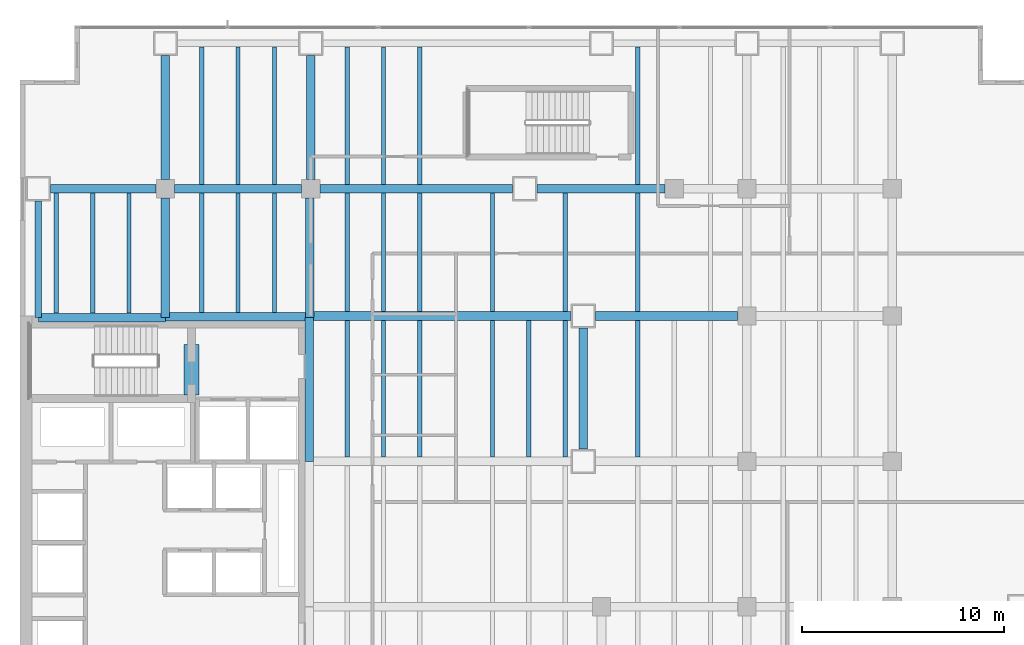
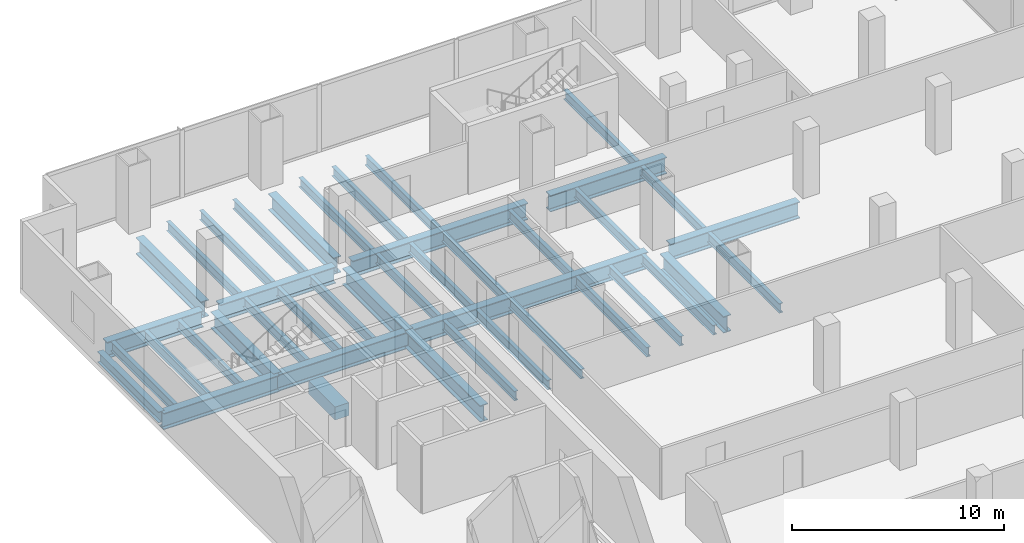
# One storey, part 10 of 31: 42 beams.
"""IFC4 building model written with IfcOpenShell, lengths in metres."""

from ifc_helpers import new_model, si_unit, direction, frame, origin, origin_2d, place, context, subcontext, project, spatial, rectangle, i_section, extrude, material, material_profile, profile_set, type_object, element, save


model = new_model("IFC4")

# Units and contexts
model_context = context("Model", 3, precision=1e-05, world=origin(), true_north=direction((0.0, 1.0)))
body_context = subcontext(model_context, "Body", "Model", "MODEL_VIEW")
ifc_project = project(units=[si_unit("LENGTHUNIT", "METRE"), si_unit("AREAUNIT", "SQUARE_METRE"), si_unit("VOLUMEUNIT", "CUBIC_METRE"), si_unit("PLANEANGLEUNIT", "RADIAN"), si_unit("MASSUNIT", "GRAM", prefix="KILO")], contexts=[model_context])

# Site, building, storey
site_placement = place(None, origin())
site = spatial("IfcSite", under=ifc_project, at=site_placement, CompositionType="ELEMENT")
building_placement = place(site_placement, origin())
building = spatial("IfcBuilding", under=site, at=building_placement, Name="Cobrela Telecom Tower", CompositionType="ELEMENT")
storey_placement = place(building_placement, frame((0.0, 0.0, 9.449951171875)))
storey = spatial("IfcBuildingStorey", under=building, at=storey_placement, Name="L02", CompositionType="ELEMENT", Elevation=9.449951171875)

# Beams
ifc_material_1 = material(Name="Concrete C40/50", Category="concrete")
ifc_material_profile_1 = material_profile(ifc_material_1, rectangle(XDim=0.75, YDim=0.75, at=origin_2d()), Name="RC 750x750")
ifc_profile_set_1 = profile_set([ifc_material_profile_1], Name="Concrete C40/50")
beam_type_1 = type_object("IfcBeamType", Name="BM-COUP-RC", PredefinedType="LINTEL", material=ifc_profile_set_1)
beam_1_placement = place(storey_placement, frame((8.5, 32.10009765625, -0.64990234375), z_axis=(0.0, 1.0, 0.0), x_axis=(-1.0, 0.0, 0.0)))
element("IfcBeam", 1, at=beam_1_placement, inside=storey, type_object=beam_type_1, Name="L02 Core Coupling Lintel Beam", PredefinedType="LINTEL", context=body_context, shape_type="SweptSolid", body=[
    extrude(rectangle(XDim=0.75, YDim=0.75, at=origin_2d()), origin(), (0.0, 0.0, 1.0), 2.5),
])
ifc_material_2 = material(Name="Steel ASTM A992 Grade 50", Category="steel")
ifc_material_profile_2 = material_profile(ifc_material_2, i_section(OverallWidth=0.424072265625, OverallDepth=0.947021484375, WebThickness=0.02392578125, FlangeThickness=0.042724609375, FilletRadius=0.02392578125, at=origin_2d()), Name="W36X302")
ifc_profile_set_2 = profile_set([ifc_material_profile_2], Name="Steel ASTM A992 Grade 50")
beam_type_2 = type_object("IfcBeamType", Name="BM-GIRD-01", PredefinedType="USERDEFINED", material=ifc_profile_set_2)
beam_2_placement = place(storey_placement, frame((0.905029296875, 35.919921875, -0.7734375), z_axis=(1.0, 0.0, 0.0), x_axis=(0.0, 1.0, 0.0)))
element("IfcBeam", 2, at=beam_2_placement, inside=storey, type_object=beam_type_2, Name="L02 Primary Girder X41", ObjectType="GIRDER", PredefinedType="USERDEFINED", context=body_context, shape_type="SweptSolid", body=[
    extrude(i_section(OverallWidth=0.424072265625, OverallDepth=0.947021484375, WebThickness=0.02392578125, FlangeThickness=0.042724609375, FilletRadius=0.02392578125, at=origin_2d()), origin(), (0.0, 0.0, 1.0), 6.2900390625),
])
beam_3_placement = place(storey_placement, frame((7.205078125, 35.9599609375, -0.7734375), z_axis=(1.0, 0.0, 0.0), x_axis=(0.0, 1.0, 0.0)))
element("IfcBeam", 3, at=beam_3_placement, inside=storey, type_object=beam_type_2, Name="L02 Primary Girder X42", ObjectType="GIRDER", PredefinedType="USERDEFINED", context=body_context, shape_type="SweptSolid", body=[
    extrude(i_section(OverallWidth=0.424072265625, OverallDepth=0.947021484375, WebThickness=0.02392578125, FlangeThickness=0.042724609375, FilletRadius=0.02392578125, at=origin_2d()), origin(), (0.0, 0.0, 1.0), 7.10986328125),
])
beam_4_placement = place(storey_placement, frame((14.324951171875, 36.0, -0.7734375), z_axis=(1.0, 0.0, 0.0), x_axis=(0.0, 1.0, 0.0)))
element("IfcBeam", 4, at=beam_4_placement, inside=storey, type_object=beam_type_2, Name="L02 Primary Girder X43", ObjectType="GIRDER", PredefinedType="USERDEFINED", context=body_context, shape_type="SweptSolid", body=[
    extrude(i_section(OverallWidth=0.424072265625, OverallDepth=0.947021484375, WebThickness=0.02392578125, FlangeThickness=0.042724609375, FilletRadius=0.02392578125, at=origin_2d()), origin(), (0.0, 0.0, 1.0), 12.969970703125),
])
beam_5_placement = place(storey_placement, frame((28.5048828125, 36.0, -0.7734375), z_axis=(1.0, 0.0, 0.0), x_axis=(0.0, 1.0, 0.0)))
element("IfcBeam", 5, at=beam_5_placement, inside=storey, type_object=beam_type_2, Name="L02 Primary Girder X44", ObjectType="GIRDER", PredefinedType="USERDEFINED", context=body_context, shape_type="SweptSolid", body=[
    extrude(i_section(OverallWidth=0.424072265625, OverallDepth=0.947021484375, WebThickness=0.02392578125, FlangeThickness=0.042724609375, FilletRadius=0.02392578125, at=origin_2d()), origin(), (0.0, 0.0, 1.0), 7.0400390625),
])
beam_6_placement = place(storey_placement, frame((1.5048828125, 42.300048828125, -0.7734375), z_axis=(1.0, 0.0, 0.0), x_axis=(0.0, 1.0, 0.0)))
element("IfcBeam", 6, at=beam_6_placement, inside=storey, type_object=beam_type_2, Name="L02 Primary Girder X46", ObjectType="GIRDER", PredefinedType="USERDEFINED", context=body_context, shape_type="SweptSolid", body=[
    extrude(i_section(OverallWidth=0.424072265625, OverallDepth=0.947021484375, WebThickness=0.02392578125, FlangeThickness=0.042724609375, FilletRadius=0.02392578125, at=origin_2d()), origin(), (0.0, 0.0, 1.0), 5.240234375),
])
beam_7_placement = place(storey_placement, frame((7.655029296875, 42.300048828125, -0.7734375), z_axis=(1.0, 0.0, 0.0), x_axis=(0.0, 1.0, 0.0)))
element("IfcBeam", 7, at=beam_7_placement, inside=storey, type_object=beam_type_2, Name="L02 Primary Girder X47", ObjectType="GIRDER", PredefinedType="USERDEFINED", context=body_context, shape_type="SweptSolid", body=[
    extrude(i_section(OverallWidth=0.424072265625, OverallDepth=0.947021484375, WebThickness=0.02392578125, FlangeThickness=0.042724609375, FilletRadius=0.02392578125, at=origin_2d()), origin(), (0.0, 0.0, 1.0), 6.2900390625),
])
beam_8_placement = place(storey_placement, frame((14.85498046875, 42.300048828125, -0.7734375), z_axis=(1.0, 0.0, 0.0), x_axis=(0.0, 1.0, 0.0)))
element("IfcBeam", 8, at=beam_8_placement, inside=storey, type_object=beam_type_2, Name="L02 Primary Girder X48", ObjectType="GIRDER", PredefinedType="USERDEFINED", context=body_context, shape_type="SweptSolid", body=[
    extrude(i_section(OverallWidth=0.424072265625, OverallDepth=0.947021484375, WebThickness=0.02392578125, FlangeThickness=0.042724609375, FilletRadius=0.02392578125, at=origin_2d()), origin(), (0.0, 0.0, 1.0), 9.5400390625),
])
beam_9_placement = place(storey_placement, frame((25.60498046875, 42.300048828125, -0.7734375), z_axis=(1.0, 0.0, 0.0), x_axis=(0.0, 1.0, 0.0)))
element("IfcBeam", 9, at=beam_9_placement, inside=storey, type_object=beam_type_2, Name="L02 Primary Girder X49", ObjectType="GIRDER", PredefinedType="USERDEFINED", context=body_context, shape_type="SweptSolid", body=[
    extrude(i_section(OverallWidth=0.424072265625, OverallDepth=0.947021484375, WebThickness=0.02392578125, FlangeThickness=0.042724609375, FilletRadius=0.02392578125, at=origin_2d()), origin(), (0.0, 0.0, 1.0), 6.340087890625),
])
beam_10_placement = place(storey_placement, frame((7.199951171875, 35.925048828125, -0.7734375), z_axis=(0.0, 1.0, 0.0), x_axis=(-1.0, 0.0, 0.0)))
element("IfcBeam", 10, at=beam_10_placement, inside=storey, type_object=beam_type_2, Name="L02 Primary Girder Y58", ObjectType="GIRDER", PredefinedType="USERDEFINED", context=body_context, shape_type="SweptSolid", body=[
    extrude(i_section(OverallWidth=0.424072265625, OverallDepth=0.947021484375, WebThickness=0.02392578125, FlangeThickness=0.042724609375, FilletRadius=0.02392578125, at=origin_2d()), origin(), (0.0, 0.0, 1.0), 5.919921875),
])
beam_11_placement = place(storey_placement, frame((7.199951171875, 42.7548828125, -0.7734375), z_axis=(0.0, 1.0, 0.0), x_axis=(-1.0, 0.0, 0.0)))
element("IfcBeam", 11, at=beam_11_placement, inside=storey, type_object=beam_type_2, Name="L02 Primary Girder Y59", ObjectType="GIRDER", PredefinedType="USERDEFINED", context=body_context, shape_type="SweptSolid", body=[
    extrude(i_section(OverallWidth=0.424072265625, OverallDepth=0.947021484375, WebThickness=0.02392578125, FlangeThickness=0.042724609375, FilletRadius=0.02392578125, at=origin_2d()), origin(), (0.0, 0.0, 1.0), 6.14013671875),
])
beam_12_placement = place(storey_placement, frame((14.320068359375, 28.804931640625, -0.7734375), z_axis=(0.0, 1.0, 0.0), x_axis=(-1.0, 0.0, 0.0)))
element("IfcBeam", 12, at=beam_12_placement, inside=storey, type_object=beam_type_2, Name="L02 Primary Girder Y64", ObjectType="GIRDER", PredefinedType="USERDEFINED", context=body_context, shape_type="SweptSolid", body=[
    extrude(i_section(OverallWidth=0.424072265625, OverallDepth=0.947021484375, WebThickness=0.02392578125, FlangeThickness=0.042724609375, FilletRadius=0.02392578125, at=origin_2d()), origin(), (0.0, 0.0, 1.0), 7.110107421875),
])
beam_13_placement = place(storey_placement, frame((14.360107421875, 35.925048828125, -0.7734375), z_axis=(0.0, 1.0, 0.0), x_axis=(-1.0, 0.0, 0.0)))
element("IfcBeam", 13, at=beam_13_placement, inside=storey, type_object=beam_type_2, Name="L02 Primary Girder Y65", ObjectType="GIRDER", PredefinedType="USERDEFINED", context=body_context, shape_type="SweptSolid", body=[
    extrude(i_section(OverallWidth=0.424072265625, OverallDepth=0.947021484375, WebThickness=0.02392578125, FlangeThickness=0.042724609375, FilletRadius=0.02392578125, at=origin_2d()), origin(), (0.0, 0.0, 1.0), 5.919921875),
])
beam_14_placement = place(storey_placement, frame((14.39990234375, 42.7548828125, -0.7734375), z_axis=(0.0, 1.0, 0.0), x_axis=(-1.0, 0.0, 0.0)))
element("IfcBeam", 14, at=beam_14_placement, inside=storey, type_object=beam_type_2, Name="L02 Primary Girder Y66", ObjectType="GIRDER", PredefinedType="USERDEFINED", context=body_context, shape_type="SweptSolid", body=[
    extrude(i_section(OverallWidth=0.424072265625, OverallDepth=0.947021484375, WebThickness=0.02392578125, FlangeThickness=0.042724609375, FilletRadius=0.02392578125, at=origin_2d()), origin(), (0.0, 0.0, 1.0), 6.14013671875),
])
beam_15_placement = place(storey_placement, frame((27.89990234375, 29.405029296875, -0.7734375), z_axis=(0.0, 1.0, 0.0), x_axis=(-1.0, 0.0, 0.0)))
element("IfcBeam", 15, at=beam_15_placement, inside=storey, type_object=beam_type_2, Name="L02 Primary Girder Y67", ObjectType="GIRDER", PredefinedType="USERDEFINED", context=body_context, shape_type="SweptSolid", body=[
    extrude(i_section(OverallWidth=0.424072265625, OverallDepth=0.947021484375, WebThickness=0.02392578125, FlangeThickness=0.042724609375, FilletRadius=0.02392578125, at=origin_2d()), origin(), (0.0, 0.0, 1.0), 5.989990234375),
])
ifc_material_profile_3 = material_profile(ifc_material_2, i_section(OverallWidth=0.212890625, OverallDepth=0.549072265625, WebThickness=0.0146484375, FlangeThickness=0.023681640625, FilletRadius=0.013916015625, at=origin_2d()), Name="W21X93")
ifc_profile_set_3 = profile_set([ifc_material_profile_3], Name="Steel ASTM A992 Grade 50")
beam_type_3 = type_object("IfcBeamType", Name="BM-JOIST-01", PredefinedType="JOIST", material=ifc_profile_set_3)
for number, where, z_axis, x_axis, name in (
    (16, (1.800048828125, 36.136962890625, -0.574462890625), (0.0, 1.0, 0.0), (-1.0, 0.0, 0.0), "L02 Secondary Composite Floor Beam J01"),
    (17, (3.60009765625, 36.136962890625, -0.574462890625), (0.0, 1.0, 0.0), (-1.0, 0.0, 0.0), "L02 Secondary Composite Floor Beam J02"),
    (18, (5.39990234375, 36.136962890625, -0.574462890625), (0.0, 1.0, 0.0), (-1.0, 0.0, 0.0), "L02 Secondary Composite Floor Beam J03"),
):
    element("IfcBeam", number, at=place(storey_placement, frame(where, z_axis=z_axis, x_axis=x_axis)), inside=storey, type_object=beam_type_3, Name=name, PredefinedType="JOIST", context=body_context, shape_type="SweptSolid", body=[
        extrude(i_section(OverallWidth=0.212890625, OverallDepth=0.549072265625, WebThickness=0.0146484375, FlangeThickness=0.023681640625, FilletRadius=0.013916015625, at=origin_2d()), origin(), (0.0, 0.0, 1.0), 5.946044921875),
    ])
beam_16_placement = place(storey_placement, frame((9.0, 36.177001953125, -0.574462890625), z_axis=(0.0, 1.0, 0.0), x_axis=(-1.0, 0.0, 0.0)))
element("IfcBeam", 19, at=beam_16_placement, inside=storey, type_object=beam_type_3, Name="L02 Secondary Composite Floor Beam J05", PredefinedType="JOIST", context=body_context, shape_type="SweptSolid", body=[
    extrude(i_section(OverallWidth=0.212890625, OverallDepth=0.549072265625, WebThickness=0.0146484375, FlangeThickness=0.023681640625, FilletRadius=0.013916015625, at=origin_2d()), origin(), (0.0, 0.0, 1.0), 5.906005859375),
])
beam_17_placement = place(storey_placement, frame((9.0, 42.51708984375, -0.574462890625), z_axis=(0.0, 1.0, 0.0), x_axis=(-1.0, 0.0, 0.0)))
element("IfcBeam", 20, at=beam_17_placement, inside=storey, type_object=beam_type_3, Name="L02 Secondary Composite Floor Beam J06", PredefinedType="JOIST", context=body_context, shape_type="SweptSolid", body=[
    extrude(i_section(OverallWidth=0.212890625, OverallDepth=0.549072265625, WebThickness=0.0146484375, FlangeThickness=0.023681640625, FilletRadius=0.013916015625, at=origin_2d()), origin(), (0.0, 0.0, 1.0), 6.81396484375),
])
beam_18_placement = place(storey_placement, frame((10.800048828125, 36.177001953125, -0.574462890625), z_axis=(0.0, 1.0, 0.0), x_axis=(-1.0, 0.0, 0.0)))
element("IfcBeam", 21, at=beam_18_placement, inside=storey, type_object=beam_type_3, Name="L02 Secondary Composite Floor Beam J08", PredefinedType="JOIST", context=body_context, shape_type="SweptSolid", body=[
    extrude(i_section(OverallWidth=0.212890625, OverallDepth=0.549072265625, WebThickness=0.0146484375, FlangeThickness=0.023681640625, FilletRadius=0.013916015625, at=origin_2d()), origin(), (0.0, 0.0, 1.0), 5.906005859375),
])
beam_19_placement = place(storey_placement, frame((10.800048828125, 42.51708984375, -0.574462890625), z_axis=(0.0, 1.0, 0.0), x_axis=(-1.0, 0.0, 0.0)))
element("IfcBeam", 22, at=beam_19_placement, inside=storey, type_object=beam_type_3, Name="L02 Secondary Composite Floor Beam J09", PredefinedType="JOIST", context=body_context, shape_type="SweptSolid", body=[
    extrude(i_section(OverallWidth=0.212890625, OverallDepth=0.549072265625, WebThickness=0.0146484375, FlangeThickness=0.023681640625, FilletRadius=0.013916015625, at=origin_2d()), origin(), (0.0, 0.0, 1.0), 6.81396484375),
])
beam_20_placement = place(storey_placement, frame((12.60009765625, 36.177001953125, -0.574462890625), z_axis=(0.0, 1.0, 0.0), x_axis=(-1.0, 0.0, 0.0)))
element("IfcBeam", 23, at=beam_20_placement, inside=storey, type_object=beam_type_3, Name="L02 Secondary Composite Floor Beam J11", PredefinedType="JOIST", context=body_context, shape_type="SweptSolid", body=[
    extrude(i_section(OverallWidth=0.212890625, OverallDepth=0.549072265625, WebThickness=0.0146484375, FlangeThickness=0.023681640625, FilletRadius=0.013916015625, at=origin_2d()), origin(), (0.0, 0.0, 1.0), 5.906005859375),
])
beam_21_placement = place(storey_placement, frame((12.60009765625, 42.51708984375, -0.574462890625), z_axis=(0.0, 1.0, 0.0), x_axis=(-1.0, 0.0, 0.0)))
element("IfcBeam", 24, at=beam_21_placement, inside=storey, type_object=beam_type_3, Name="L02 Secondary Composite Floor Beam J12", PredefinedType="JOIST", context=body_context, shape_type="SweptSolid", body=[
    extrude(i_section(OverallWidth=0.212890625, OverallDepth=0.549072265625, WebThickness=0.0146484375, FlangeThickness=0.023681640625, FilletRadius=0.013916015625, at=origin_2d()), origin(), (0.0, 0.0, 1.0), 6.81396484375),
])
beam_22_placement = place(storey_placement, frame((16.199951171875, 29.01708984375, -0.574462890625), z_axis=(0.0, 1.0, 0.0), x_axis=(-1.0, 0.0, 0.0)))
element("IfcBeam", 25, at=beam_22_placement, inside=storey, type_object=beam_type_3, Name="L02 Secondary Composite Floor Beam J17", PredefinedType="JOIST", context=body_context, shape_type="SweptSolid", body=[
    extrude(i_section(OverallWidth=0.212890625, OverallDepth=0.549072265625, WebThickness=0.0146484375, FlangeThickness=0.023681640625, FilletRadius=0.013916015625, at=origin_2d()), origin(), (0.0, 0.0, 1.0), 6.765869140625),
])
beam_23_placement = place(storey_placement, frame((16.199951171875, 36.217041015625, -0.574462890625), z_axis=(0.0, 1.0, 0.0), x_axis=(-1.0, 0.0, 0.0)))
element("IfcBeam", 26, at=beam_23_placement, inside=storey, type_object=beam_type_3, Name="L02 Secondary Composite Floor Beam J18", PredefinedType="JOIST", context=body_context, shape_type="SweptSolid", body=[
    extrude(i_section(OverallWidth=0.212890625, OverallDepth=0.549072265625, WebThickness=0.0146484375, FlangeThickness=0.023681640625, FilletRadius=0.013916015625, at=origin_2d()), origin(), (0.0, 0.0, 1.0), 5.865966796875),
])
beam_24_placement = place(storey_placement, frame((16.199951171875, 42.51708984375, -0.574462890625), z_axis=(0.0, 1.0, 0.0), x_axis=(-1.0, 0.0, 0.0)))
element("IfcBeam", 27, at=beam_24_placement, inside=storey, type_object=beam_type_3, Name="L02 Secondary Composite Floor Beam J19", PredefinedType="JOIST", context=body_context, shape_type="SweptSolid", body=[
    extrude(i_section(OverallWidth=0.212890625, OverallDepth=0.549072265625, WebThickness=0.0146484375, FlangeThickness=0.023681640625, FilletRadius=0.013916015625, at=origin_2d()), origin(), (0.0, 0.0, 1.0), 6.81396484375),
])
beam_25_placement = place(storey_placement, frame((18.0, 29.01708984375, -0.574462890625), z_axis=(0.0, 1.0, 0.0), x_axis=(-1.0, 0.0, 0.0)))
element("IfcBeam", 28, at=beam_25_placement, inside=storey, type_object=beam_type_3, Name="L02 Secondary Composite Floor Beam J24", PredefinedType="JOIST", context=body_context, shape_type="SweptSolid", body=[
    extrude(i_section(OverallWidth=0.212890625, OverallDepth=0.549072265625, WebThickness=0.0146484375, FlangeThickness=0.023681640625, FilletRadius=0.013916015625, at=origin_2d()), origin(), (0.0, 0.0, 1.0), 6.765869140625),
])
beam_26_placement = place(storey_placement, frame((18.0, 36.217041015625, -0.574462890625), z_axis=(0.0, 1.0, 0.0), x_axis=(-1.0, 0.0, 0.0)))
element("IfcBeam", 29, at=beam_26_placement, inside=storey, type_object=beam_type_3, Name="L02 Secondary Composite Floor Beam J25", PredefinedType="JOIST", context=body_context, shape_type="SweptSolid", body=[
    extrude(i_section(OverallWidth=0.212890625, OverallDepth=0.549072265625, WebThickness=0.0146484375, FlangeThickness=0.023681640625, FilletRadius=0.013916015625, at=origin_2d()), origin(), (0.0, 0.0, 1.0), 5.865966796875),
])
beam_27_placement = place(storey_placement, frame((18.0, 42.51708984375, -0.574462890625), z_axis=(0.0, 1.0, 0.0), x_axis=(-1.0, 0.0, 0.0)))
element("IfcBeam", 30, at=beam_27_placement, inside=storey, type_object=beam_type_3, Name="L02 Secondary Composite Floor Beam J26", PredefinedType="JOIST", context=body_context, shape_type="SweptSolid", body=[
    extrude(i_section(OverallWidth=0.212890625, OverallDepth=0.549072265625, WebThickness=0.0146484375, FlangeThickness=0.023681640625, FilletRadius=0.013916015625, at=origin_2d()), origin(), (0.0, 0.0, 1.0), 6.81396484375),
])
beam_28_placement = place(storey_placement, frame((19.800048828125, 29.01708984375, -0.574462890625), z_axis=(0.0, 1.0, 0.0), x_axis=(-1.0, 0.0, 0.0)))
element("IfcBeam", 31, at=beam_28_placement, inside=storey, type_object=beam_type_3, Name="L02 Secondary Composite Floor Beam J31", PredefinedType="JOIST", context=body_context, shape_type="SweptSolid", body=[
    extrude(i_section(OverallWidth=0.212890625, OverallDepth=0.549072265625, WebThickness=0.0146484375, FlangeThickness=0.023681640625, FilletRadius=0.013916015625, at=origin_2d()), origin(), (0.0, 0.0, 1.0), 6.765869140625),
])
beam_29_placement = place(storey_placement, frame((19.800048828125, 36.217041015625, -0.574462890625), z_axis=(0.0, 1.0, 0.0), x_axis=(-1.0, 0.0, 0.0)))
element("IfcBeam", 32, at=beam_29_placement, inside=storey, type_object=beam_type_3, Name="L02 Secondary Composite Floor Beam J32", PredefinedType="JOIST", context=body_context, shape_type="SweptSolid", body=[
    extrude(i_section(OverallWidth=0.212890625, OverallDepth=0.549072265625, WebThickness=0.0146484375, FlangeThickness=0.023681640625, FilletRadius=0.013916015625, at=origin_2d()), origin(), (0.0, 0.0, 1.0), 5.865966796875),
])
beam_30_placement = place(storey_placement, frame((19.800048828125, 42.51708984375, -0.574462890625), z_axis=(0.0, 1.0, 0.0), x_axis=(-1.0, 0.0, 0.0)))
element("IfcBeam", 33, at=beam_30_placement, inside=storey, type_object=beam_type_3, Name="L02 Secondary Composite Floor Beam J33", PredefinedType="JOIST", context=body_context, shape_type="SweptSolid", body=[
    extrude(i_section(OverallWidth=0.212890625, OverallDepth=0.549072265625, WebThickness=0.0146484375, FlangeThickness=0.023681640625, FilletRadius=0.013916015625, at=origin_2d()), origin(), (0.0, 0.0, 1.0), 6.81396484375),
])
beam_31_placement = place(storey_placement, frame((23.39990234375, 29.01708984375, -0.574462890625), z_axis=(0.0, 1.0, 0.0), x_axis=(-1.0, 0.0, 0.0)))
element("IfcBeam", 34, at=beam_31_placement, inside=storey, type_object=beam_type_3, Name="L02 Secondary Composite Floor Beam J38", PredefinedType="JOIST", context=body_context, shape_type="SweptSolid", body=[
    extrude(i_section(OverallWidth=0.212890625, OverallDepth=0.549072265625, WebThickness=0.0146484375, FlangeThickness=0.023681640625, FilletRadius=0.013916015625, at=origin_2d()), origin(), (0.0, 0.0, 1.0), 6.765869140625),
])
beam_32_placement = place(storey_placement, frame((23.39990234375, 36.217041015625, -0.574462890625), z_axis=(0.0, 1.0, 0.0), x_axis=(-1.0, 0.0, 0.0)))
element("IfcBeam", 35, at=beam_32_placement, inside=storey, type_object=beam_type_3, Name="L02 Secondary Composite Floor Beam J39", PredefinedType="JOIST", context=body_context, shape_type="SweptSolid", body=[
    extrude(i_section(OverallWidth=0.212890625, OverallDepth=0.549072265625, WebThickness=0.0146484375, FlangeThickness=0.023681640625, FilletRadius=0.013916015625, at=origin_2d()), origin(), (0.0, 0.0, 1.0), 5.865966796875),
])
for number, where, z_axis, x_axis, name in (
    (36, (25.199951171875, 29.01708984375, -0.574462890625), (0.0, 1.0, 0.0), (-1.0, 0.0, 0.0), "L02 Secondary Composite Floor Beam J44"),
    (37, (27.0, 29.01708984375, -0.574462890625), (0.0, 1.0, 0.0), (-1.0, 0.0, 0.0), "L02 Secondary Composite Floor Beam J49"),
):
    element("IfcBeam", number, at=place(storey_placement, frame(where, z_axis=z_axis, x_axis=x_axis)), inside=storey, type_object=beam_type_3, Name=name, PredefinedType="JOIST", context=body_context, shape_type="SweptSolid", body=[
        extrude(i_section(OverallWidth=0.212890625, OverallDepth=0.549072265625, WebThickness=0.0146484375, FlangeThickness=0.023681640625, FilletRadius=0.013916015625, at=origin_2d()), origin(), (0.0, 0.0, 1.0), 6.765869140625),
    ])
beam_33_placement = place(storey_placement, frame((27.0, 36.217041015625, -0.574462890625), z_axis=(0.0, 1.0, 0.0), x_axis=(-1.0, 0.0, 0.0)))
element("IfcBeam", 38, at=beam_33_placement, inside=storey, type_object=beam_type_3, Name="L02 Secondary Composite Floor Beam J50", PredefinedType="JOIST", context=body_context, shape_type="SweptSolid", body=[
    extrude(i_section(OverallWidth=0.212890625, OverallDepth=0.549072265625, WebThickness=0.0146484375, FlangeThickness=0.023681640625, FilletRadius=0.013916015625, at=origin_2d()), origin(), (0.0, 0.0, 1.0), 5.865966796875),
])
beam_34_placement = place(storey_placement, frame((30.60009765625, 29.01708984375, -0.574462890625), z_axis=(0.0, 1.0, 0.0), x_axis=(-1.0, 0.0, 0.0)))
element("IfcBeam", 39, at=beam_34_placement, inside=storey, type_object=beam_type_3, Name="L02 Secondary Composite Floor Beam J55", PredefinedType="JOIST", context=body_context, shape_type="SweptSolid", body=[
    extrude(i_section(OverallWidth=0.212890625, OverallDepth=0.549072265625, WebThickness=0.0146484375, FlangeThickness=0.023681640625, FilletRadius=0.013916015625, at=origin_2d()), origin(), (0.0, 0.0, 1.0), 6.765869140625),
])
beam_35_placement = place(storey_placement, frame((30.60009765625, 36.217041015625, -0.574462890625), z_axis=(0.0, 1.0, 0.0), x_axis=(-1.0, 0.0, 0.0)))
element("IfcBeam", 40, at=beam_35_placement, inside=storey, type_object=beam_type_3, Name="L02 Secondary Composite Floor Beam J56", PredefinedType="JOIST", context=body_context, shape_type="SweptSolid", body=[
    extrude(i_section(OverallWidth=0.212890625, OverallDepth=0.549072265625, WebThickness=0.0146484375, FlangeThickness=0.023681640625, FilletRadius=0.013916015625, at=origin_2d()), origin(), (0.0, 0.0, 1.0), 5.865966796875),
])
beam_36_placement = place(storey_placement, frame((30.60009765625, 42.51708984375, -0.574462890625), z_axis=(0.0, 1.0, 0.0), x_axis=(-1.0, 0.0, 0.0)))
element("IfcBeam", 41, at=beam_36_placement, inside=storey, type_object=beam_type_3, Name="L02 Secondary Composite Floor Beam J57", PredefinedType="JOIST", context=body_context, shape_type="SweptSolid", body=[
    extrude(i_section(OverallWidth=0.212890625, OverallDepth=0.549072265625, WebThickness=0.0146484375, FlangeThickness=0.023681640625, FilletRadius=0.013916015625, at=origin_2d()), origin(), (0.0, 0.0, 1.0), 6.81396484375),
])
ifc_material_profile_4 = material_profile(ifc_material_2, i_section(OverallWidth=0.327880859375, OverallDepth=0.6220703125, WebThickness=0.015380859375, FlangeThickness=0.0244140625, FilletRadius=0.014892578125, at=origin_2d()), Name="W24X131")
ifc_profile_set_4 = profile_set([ifc_material_profile_4], Name="Steel ASTM A992 Grade 50")
beam_type_4 = type_object("IfcBeamType", Name="BM-SPAND-01", PredefinedType="SPANDREL", material=ifc_profile_set_4)
beam_37_placement = place(storey_placement, frame((0.89990234375, 35.925048828125, -0.61083984375), z_axis=(0.0, 1.0, 0.0), x_axis=(-1.0, 0.0, 0.0)))
element("IfcBeam", 42, at=beam_37_placement, inside=storey, type_object=beam_type_4, Name="L02 Perimeter Spandrel Y56", PredefinedType="SPANDREL", context=body_context, shape_type="SweptSolid", body=[
    extrude(i_section(OverallWidth=0.327880859375, OverallDepth=0.6220703125, WebThickness=0.015380859375, FlangeThickness=0.0244140625, FilletRadius=0.014892578125, at=origin_2d()), origin(), (0.0, 0.0, 1.0), 5.77001953125),
])

save(model, "model.ifc")
